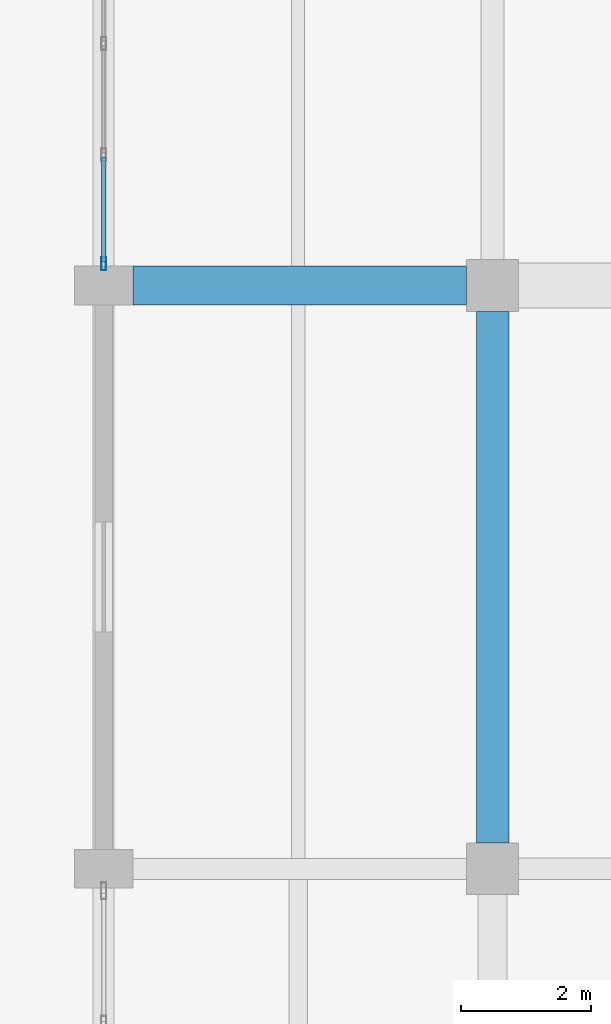
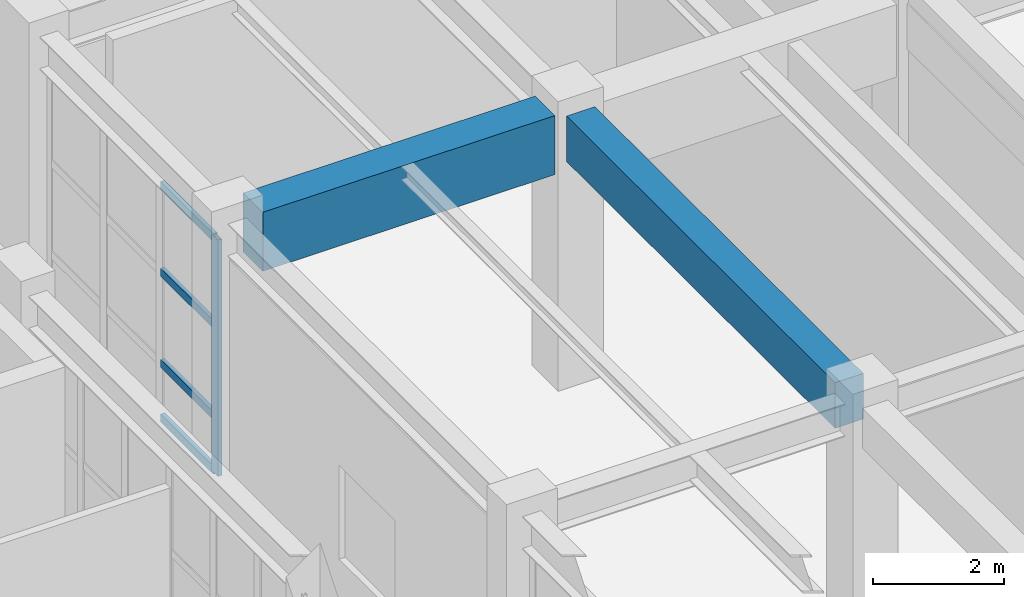
# One storey, part 35 of 91: 5 members, 2 beams, 1 element without a shape of its own.
"""IFC4 building model written with IfcOpenShell, lengths in metres."""

from ifc_helpers import new_model, si_unit, direction, frame, origin, origin_2d, place, context, subcontext, project, spatial, rectangle, hollow_rectangle, extrude, material, layer, layer_set, material_profile, profile_set, type_object, element, aggregate, save


model = new_model("IFC4")

# Units and contexts
model_context = context("Model", 3, precision=1e-05, world=origin(), true_north=direction((0.0, 1.0)))
body_context = subcontext(model_context, "Body", "Model", "MODEL_VIEW")
ifc_project = project(units=[si_unit("LENGTHUNIT", "METRE"), si_unit("AREAUNIT", "SQUARE_METRE"), si_unit("VOLUMEUNIT", "CUBIC_METRE"), si_unit("PLANEANGLEUNIT", "RADIAN"), si_unit("MASSUNIT", "GRAM", prefix="KILO")], contexts=[model_context])

# Site, building, storey
site_placement = place(None, origin())
site = spatial("IfcSite", under=ifc_project, at=site_placement, CompositionType="ELEMENT")
building_placement = place(site_placement, origin())
building = spatial("IfcBuilding", under=site, at=building_placement, Name="Vaelkrest Opera House", CompositionType="ELEMENT")
storey_placement = place(building_placement, origin())
storey = spatial("IfcBuildingStorey", under=building, at=storey_placement, Name="L00", CompositionType="ELEMENT", Elevation=0.0)

# Beams
ifc_material_1 = material(Name="Concrete C50/60", Category="concrete")
ifc_material_profile_1 = material_profile(ifc_material_1, rectangle(XDim=0.5, YDim=0.85009765625, at=origin_2d()), Name="RCB500X850")
ifc_profile_set_1 = profile_set([ifc_material_profile_1], Name="Concrete C50/60")
beam_type_1 = type_object("IfcBeamType", Name="B03", PredefinedType="BEAM", material=ifc_profile_set_1)
beam_1_placement = place(storey_placement, frame((-24.0, 1.60009765625, 4.655029296875), z_axis=(0.0, 1.0, 0.0), x_axis=(-1.0, 0.0, 0.0)))
element("IfcBeam", 1, at=beam_1_placement, inside=storey, type_object=beam_type_1, Name="Beam BM-V1-L00-0152", PredefinedType="BEAM", context=body_context, shape_type="SweptSolid", body=[
    extrude(rectangle(XDim=0.5, YDim=0.85009765625, at=origin_2d()), origin(), (0.0, 0.0, 1.0), 8.199951171875),
])
ifc_material_profile_2 = material_profile(ifc_material_1, rectangle(XDim=0.60009765625, YDim=1.10009765625, at=origin_2d()), Name="RCB600X1100")
ifc_profile_set_2 = profile_set([ifc_material_profile_2], Name="Concrete C50/60")
beam_type_2 = type_object("IfcBeamType", Name="B05", PredefinedType="BEAM", material=ifc_profile_set_2)
beam_2_placement = place(storey_placement, frame((-29.550048828125, 10.199951171875, 4.530029296875), z_axis=(1.0, 0.0, 0.0), x_axis=(0.0, 1.0, 0.0)))
element("IfcBeam", 2, at=beam_2_placement, inside=storey, type_object=beam_type_2, Name="Beam BM-V1-L00-0126", PredefinedType="BEAM", context=body_context, shape_type="SweptSolid", body=[
    extrude(rectangle(XDim=0.60009765625, YDim=1.10009765625, at=origin_2d()), origin(), (0.0, 0.0, 1.0), 5.150146484375),
])

# Curtain wall, members
ifc_material_2 = material(Name="Dark bronze anodized aluminium", Category="aluminium")
ifc_layer = layer(ifc_material_2, 0.18994140625)
ifc_layer_set = layer_set([ifc_layer], Name="Dark bronze anodized aluminium")
curtain_wall_type = type_object("IfcCurtainWallType", Name="CW02", PredefinedType="NOTDEFINED", material=ifc_layer_set)
curtain_wall_placement = place(storey_placement, origin())
curtain_wall = element("IfcCurtainWall", 3, at=curtain_wall_placement, inside=storey, type_object=curtain_wall_type, Name="Curtain wall CW-L00-016", PredefinedType="NOTDEFINED")
ifc_material_profile_3 = material_profile(ifc_material_2, hollow_rectangle(XDim=0.070068359375, YDim=0.199951171875, WallThickness=0.004150390625, at=origin_2d()), Name="CWM70X200")
ifc_profile_set_3 = profile_set([ifc_material_profile_3], Name="Dark bronze anodized aluminium")
member_type_1 = type_object("IfcMemberType", Name="CWM02", PredefinedType="MULLION", material=ifc_profile_set_3)
member_1_placement = place(storey_placement, frame((-30.0, 10.532958984375, 0.0), z_axis=(0.0, 0.0, 1.0), x_axis=(-1.0, 0.0, 0.0)))
member_1 = element("IfcMember", 4, at=member_1_placement, type_object=member_type_1, Name="CW02 mullion 1", PredefinedType="MULLION", context=body_context, shape_type="SweptSolid", body=[
    extrude(hollow_rectangle(XDim=0.070068359375, YDim=0.199951171875, WallThickness=0.004150390625, at=origin_2d()), origin(), (0.0, 0.0, 1.0), 4.404052734375),
])
ifc_material_profile_4 = material_profile(ifc_material_2, hollow_rectangle(XDim=0.070068359375, YDim=0.14990234375, WallThickness=0.004150390625, at=origin_2d()), Name="CWT70X150")
ifc_profile_set_4 = profile_set([ifc_material_profile_4], Name="Dark bronze anodized aluminium")
member_type_2 = type_object("IfcMemberType", Name="CWT02", PredefinedType="USERDEFINED", material=ifc_profile_set_4)
member_2_placement = place(storey_placement, frame((-30.0, 10.568115234375, 0.034912109375), z_axis=(0.0, 1.0, 0.0), x_axis=(-1.0, 0.0, 0.0)))
member_2 = element("IfcMember", 5, at=member_2_placement, type_object=member_type_2, Name="CW02 transom 1.1", ObjectType="TRANSOM", PredefinedType="USERDEFINED", context=body_context, shape_type="SweptSolid", body=[
    extrude(hollow_rectangle(XDim=0.070068359375, YDim=0.14990234375, WallThickness=0.004150390625, at=origin_2d()), origin(), (0.0, 0.0, 1.0), 1.61279296875),
])
member_3_placement = place(storey_placement, frame((-30.0, 10.568115234375, 1.050048828125), z_axis=(0.0, 1.0, 0.0), x_axis=(-1.0, 0.0, 0.0)))
member_3 = element("IfcMember", 6, at=member_3_placement, type_object=member_type_2, Name="CW02 transom 1.2", ObjectType="TRANSOM", PredefinedType="USERDEFINED", context=body_context, shape_type="SweptSolid", body=[
    extrude(hollow_rectangle(XDim=0.070068359375, YDim=0.14990234375, WallThickness=0.004150390625, at=origin_2d()), origin(), (0.0, 0.0, 1.0), 1.61279296875),
])
member_4_placement = place(storey_placement, frame((-30.0, 10.568115234375, 2.75), z_axis=(0.0, 1.0, 0.0), x_axis=(-1.0, 0.0, 0.0)))
member_4 = element("IfcMember", 7, at=member_4_placement, type_object=member_type_2, Name="CW02 transom 1.3", ObjectType="TRANSOM", PredefinedType="USERDEFINED", context=body_context, shape_type="SweptSolid", body=[
    extrude(hollow_rectangle(XDim=0.070068359375, YDim=0.14990234375, WallThickness=0.004150390625, at=origin_2d()), origin(), (0.0, 0.0, 1.0), 1.61279296875),
])
member_5_placement = place(storey_placement, frame((-30.0, 10.568115234375, 4.368896484375), z_axis=(0.0, 1.0, 0.0), x_axis=(-1.0, 0.0, 0.0)))
member_5 = element("IfcMember", 8, at=member_5_placement, type_object=member_type_2, Name="CW02 transom 1.4", ObjectType="TRANSOM", PredefinedType="USERDEFINED", context=body_context, shape_type="SweptSolid", body=[
    extrude(hollow_rectangle(XDim=0.070068359375, YDim=0.14990234375, WallThickness=0.004150390625, at=origin_2d()), origin(), (0.0, 0.0, 1.0), 1.61279296875),
])
aggregate(curtain_wall, [member_1, member_2, member_3, member_4, member_5])

save(model, "model.ifc")
